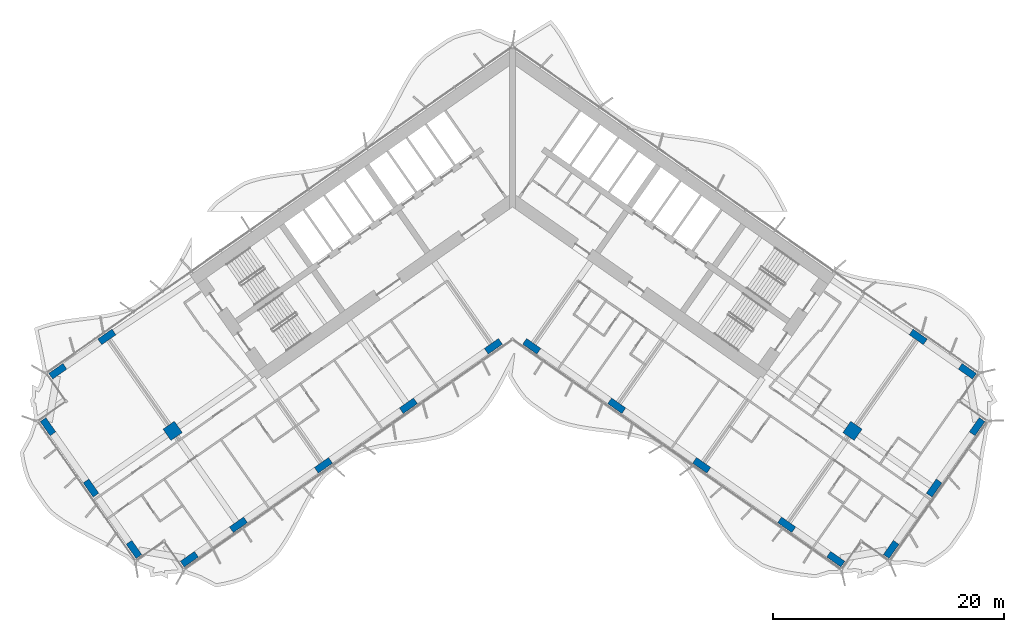
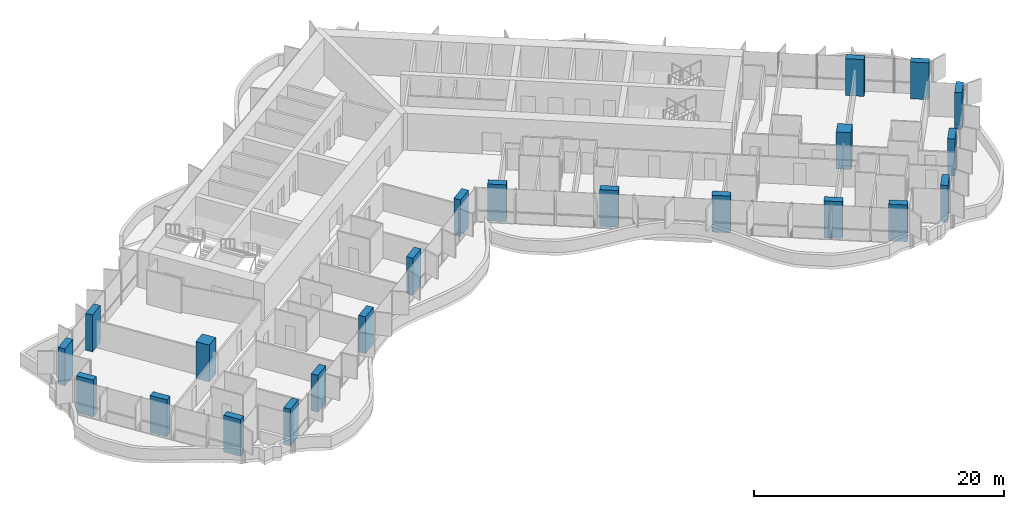
# One storey, part 1 of 23: 22 columns.
"""IFC4 building model written with IfcOpenShell, lengths in metres."""

from ifc_helpers import new_model, si_unit, direction, frame, origin, origin_2d, place, context, subcontext, project, spatial, rectangle, extrude, material, material_profile, profile_set, type_object, element, save


model = new_model("IFC4")

# Units and contexts
model_context = context("Model", 3, precision=1e-05, world=origin(), true_north=direction((0.0, 1.0)))
body_context = subcontext(model_context, "Body", "Model", "MODEL_VIEW")
ifc_project = project(units=[si_unit("LENGTHUNIT", "METRE"), si_unit("AREAUNIT", "SQUARE_METRE"), si_unit("VOLUMEUNIT", "CUBIC_METRE"), si_unit("PLANEANGLEUNIT", "RADIAN"), si_unit("MASSUNIT", "GRAM", prefix="KILO")], contexts=[model_context])

# Site, building, storey
site_placement = place(None, origin())
site = spatial("IfcSite", under=ifc_project, at=site_placement, CompositionType="ELEMENT")
building_placement = place(site_placement, origin())
building = spatial("IfcBuilding", under=site, at=building_placement, Name="Tel Ilan Convention Tower", CompositionType="ELEMENT")
storey_placement = place(building_placement, frame((0.0, 0.0, 119.300048828125)))
storey = spatial("IfcBuildingStorey", under=building, at=storey_placement, Name="L26", CompositionType="ELEMENT", Elevation=119.300048828125)

# Columns
ifc_material_1 = material(Name="Concrete C60/75", Category="concrete")
ifc_material_profile_1 = material_profile(ifc_material_1, rectangle(XDim=1.199951171875, YDim=1.199951171875, at=origin_2d()), Name="RC 1200x1200")
ifc_profile_set_1 = profile_set([ifc_material_profile_1], Name="Concrete C60/75")
column_type_1 = type_object("IfcColumnType", Name="Column RC 1200x1200 C60/75", PredefinedType="COLUMN", material=ifc_profile_set_1)
for number, where, z_axis, x_axis, name in (
    (1, (-29.489501953125, -20.648681640625, 0.0), (0.0, 0.0, 1.0), (-0.819152044289, -0.573576436351, 0.0), "L26 column W-M4"),
    (2, (29.489501953125, -20.648681640625, 0.0), (0.0, 0.0, 1.0), (0.819152044289, -0.573576436351, 0.0), "L26 column E-M4"),
):
    element("IfcColumn", number, at=place(storey_placement, frame(where, z_axis=z_axis, x_axis=x_axis)), inside=storey, type_object=column_type_1, Name=name, PredefinedType="COLUMN", context=body_context, shape_type="SweptSolid", body=[
        extrude(rectangle(XDim=1.199951171875, YDim=1.199951171875, at=origin_2d()), origin(), (0.0, 0.0, 1.0), 3.599853515625),
    ])
ifc_material_2 = material(Name="Concrete C60/75", Category="concrete")
ifc_material_profile_2 = material_profile(ifc_material_2, rectangle(XDim=1.5, YDim=0.60009765625, at=origin_2d()), Name="RC 600x1500")
ifc_profile_set_2 = profile_set([ifc_material_profile_2], Name="Concrete C60/75")
column_type_2 = type_object("IfcColumnType", Name="Column RC 600x1500 C60/75", PredefinedType="COLUMN", material=ifc_profile_set_2)
for number, where, z_axis, x_axis, name in (
    (3, (-1.665283203125, -13.312744140625, 0.0), (0.0, 0.0, 1.0), (-0.819152044289, -0.573576436351, 0.0), "L26 column W-F1"),
    (4, (-9.03759765625, -18.474853515625, 0.0), (0.0, 0.0, 1.0), (-0.819152044289, -0.573576436351, 0.0), "L26 column W-F2"),
    (5, (-16.409912109375, -23.63720703125, 0.0), (0.0, 0.0, 1.0), (-0.819152044289, -0.573576436351, 0.0), "L26 column W-F3"),
    (6, (-23.782470703125, -28.79931640625, 0.0), (0.0, 0.0, 1.0), (-0.819152044289, -0.573576436351, 0.0), "L26 column W-F4"),
    (7, (-28.0419921875, -31.781982421875, 0.0), (0.0, 0.0, 1.0), (-0.819152044289, -0.573576436351, 0.0), "L26 column W-FC"),
    (8, (-35.196533203125, -12.498291015625, 0.0), (0.0, 0.0, 1.0), (-0.819152044289, -0.573576436351, 0.0), "L26 column W-B4"),
    (9, (-39.4560546875, -15.480712890625, 0.0), (0.0, 0.0, 1.0), (-0.819152044289, -0.573576436351, 0.0), "L26 column W-BC"),
    (10, (-32.846923828125, -30.934814453125, 0.0), (0.0, 0.0, 1.0), (-0.573576436351, 0.819152044289, 0.0), "L26 column W-E1"),
    (11, (-36.5751953125, -25.610107421875, 0.0), (0.0, 0.0, 1.0), (-0.573576436351, 0.819152044289, 0.0), "L26 column W-E2"),
    (12, (-40.303466796875, -20.28564453125, 0.0), (0.0, 0.0, 1.0), (-0.573576436351, 0.819152044289, 0.0), "L26 column W-E3"),
    (13, (1.665283203125, -13.312744140625, 0.0), (0.0, 0.0, 1.0), (0.819152044289, -0.573576436351, 0.0), "L26 column E-F1"),
    (14, (9.03759765625, -18.474853515625, 0.0), (0.0, 0.0, 1.0), (0.819152044289, -0.573576436351, 0.0), "L26 column E-F2"),
    (15, (16.409912109375, -23.63720703125, 0.0), (0.0, 0.0, 1.0), (0.819152044289, -0.573576436351, 0.0), "L26 column E-F3"),
    (16, (23.782470703125, -28.79931640625, 0.0), (0.0, 0.0, 1.0), (0.819152044289, -0.573576436351, 0.0), "L26 column E-F4"),
    (17, (28.0419921875, -31.781982421875, 0.0), (0.0, 0.0, 1.0), (0.819152044289, -0.573576436351, 0.0), "L26 column E-FC"),
    (18, (35.196533203125, -12.498291015625, 0.0), (0.0, 0.0, 1.0), (0.819152044289, -0.573576436351, 0.0), "L26 column E-B4"),
    (19, (39.4560546875, -15.480712890625, 0.0), (0.0, 0.0, 1.0), (0.819152044289, -0.573576436351, 0.0), "L26 column E-BC"),
    (20, (32.846923828125, -30.934814453125, 0.0), (0.0, 0.0, 1.0), (0.573576436351, 0.819152044289, 0.0), "L26 column E-E1"),
    (21, (36.5751953125, -25.610107421875, 0.0), (0.0, 0.0, 1.0), (0.573576436351, 0.819152044289, 0.0), "L26 column E-E2"),
    (22, (40.303466796875, -20.28564453125, 0.0), (0.0, 0.0, 1.0), (0.573576436351, 0.819152044289, 0.0), "L26 column E-E3"),
):
    element("IfcColumn", number, at=place(storey_placement, frame(where, z_axis=z_axis, x_axis=x_axis)), inside=storey, type_object=column_type_2, Name=name, PredefinedType="COLUMN", context=body_context, shape_type="SweptSolid", body=[
        extrude(rectangle(XDim=1.5, YDim=0.60009765625, at=origin_2d()), origin(), (0.0, 0.0, 1.0), 3.599853515625),
    ])

save(model, "model.ifc")
